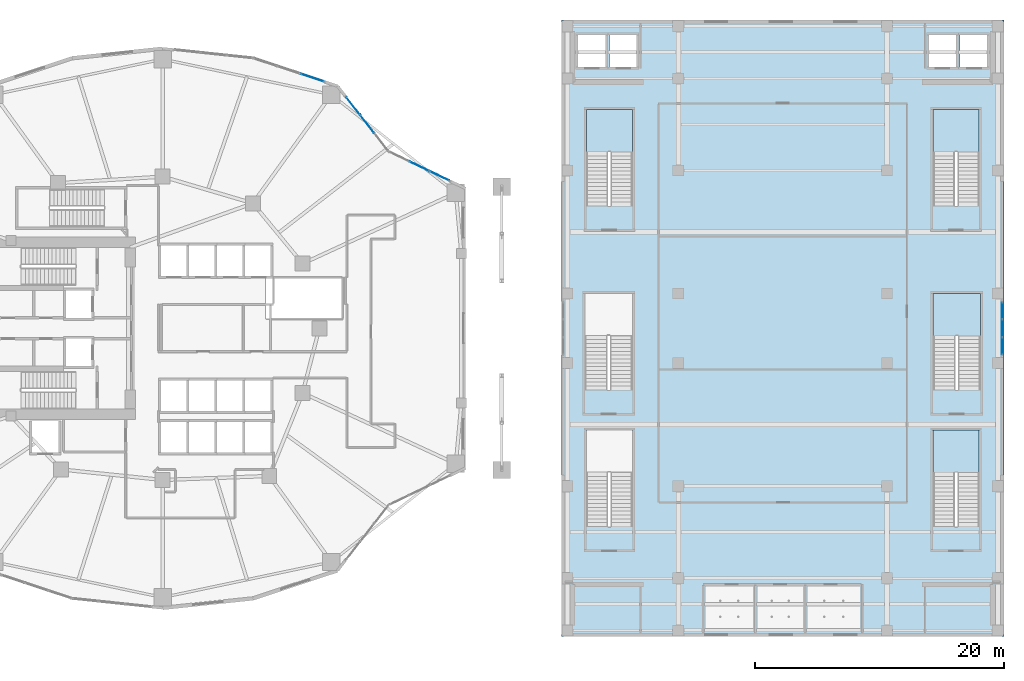
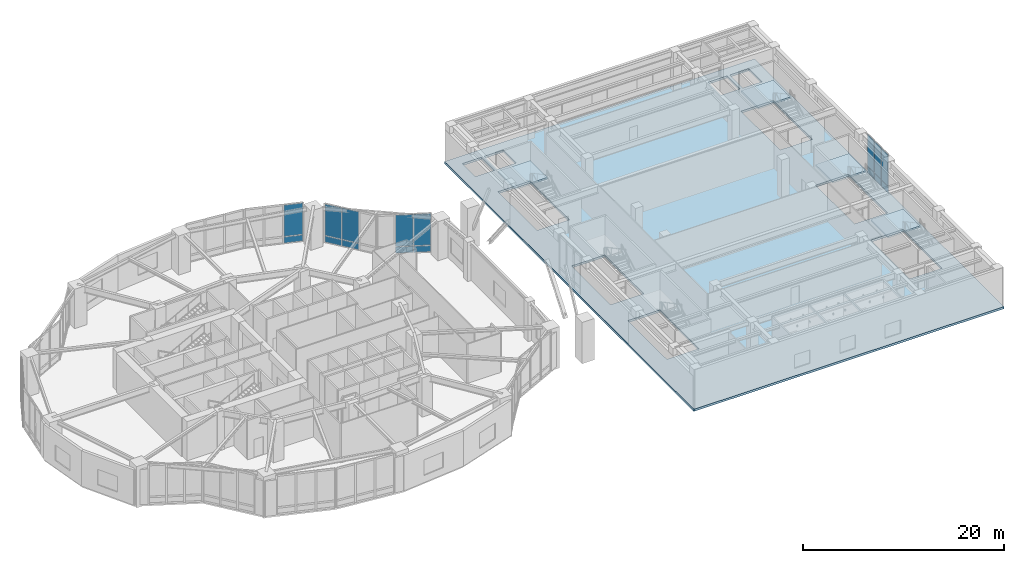
# One storey, part 12 of 24: 16 plates, 5 slabs, 8 elements without a shape of their own.
"""IFC4 building model written with IfcOpenShell, lengths in metres."""

from ifc_helpers import new_model, si_unit, direction, frame, origin, origin_2d, place, context, subcontext, project, spatial, polyline, rectangle, outline, extrude, material, layer, layer_set, type_object, element, aggregate, save


model = new_model("IFC4")

# Units and contexts
model_context = context("Model", 3, precision=1e-05, world=origin(), true_north=direction((0.0, 1.0)))
body_context = subcontext(model_context, "Body", "Model", "MODEL_VIEW")
ifc_project = project(units=[si_unit("LENGTHUNIT", "METRE"), si_unit("AREAUNIT", "SQUARE_METRE"), si_unit("VOLUMEUNIT", "CUBIC_METRE"), si_unit("PLANEANGLEUNIT", "RADIAN"), si_unit("MASSUNIT", "GRAM", prefix="KILO")], contexts=[model_context])

# Site, building, storey
site_placement = place(None, origin())
site = spatial("IfcSite", under=ifc_project, at=site_placement, CompositionType="ELEMENT")
building_placement = place(site_placement, origin())
building = spatial("IfcBuilding", under=site, at=building_placement, Name="Kolvaren Gate Tower and Convention Centre", CompositionType="ELEMENT")
storey_placement = place(building_placement, frame((0.0, 0.0, 10.0)))
storey = spatial("IfcBuildingStorey", under=building, at=storey_placement, Name="L02", CompositionType="ELEMENT", Elevation=10.0)

# Curtain wall, plates
ifc_material_1 = material(Name="Anodized Architectural Aluminium Alloy 6063-T6", Category="aluminium")
ifc_layer_1 = layer(ifc_material_1, 0.179931640625)
ifc_layer_set_1 = layer_set([ifc_layer_1], Name="Anodized Architectural Aluminium Alloy 6063-T6")
curtain_wall_type_1 = type_object("IfcCurtainWallType", Name="CW-POD-GLZ", PredefinedType="NOTDEFINED", material=ifc_layer_set_1)
curtain_wall_1_placement = place(storey_placement, origin())
curtain_wall_1 = element("IfcCurtainWall", 1, at=curtain_wall_1_placement, inside=storey, type_object=curtain_wall_type_1, Name="Tower L02 Unitised Curtain Wall CW-POD-GLZ Bay 02", PredefinedType="NOTDEFINED")
ifc_material_2 = material(Name="Low-E Triple Insulated Glazing Unit 44 mm", Category="glass")
ifc_layer_2 = layer(ifc_material_2, 0.0439453125)
ifc_layer_set_2 = layer_set([ifc_layer_2], Name="Low-E Triple Insulated Glazing Unit 44 mm")
plate_type_1 = type_object("IfcPlateType", Name="CW-PL-IGU-44", PredefinedType="CURTAIN_PANEL", material=ifc_layer_set_2)
plate_1_placement = place(storey_placement, frame((50.77587890625, 40.030517578125, 0.88720703125), z_axis=(0.0, 0.0, 1.0), x_axis=(0.90136380435, -0.433062688542, 0.0)))
plate_1 = element("IfcPlate", 2, at=plate_1_placement, type_object=plate_type_1, Name="CW-01 panel 2.2", PredefinedType="CURTAIN_PANEL", context=body_context, shape_type="SweptSolid", body=[
    extrude(rectangle(XDim=1.744873046875, YDim=0.0439453125, at=origin_2d()), origin(), (0.0, 0.0, 1.0), 3.797607421875),
])
plate_2_placement = place(storey_placement, frame((52.399658203125, 39.25048828125, 0.88720703125), z_axis=(0.0, 0.0, 1.0), x_axis=(0.90136380435, -0.433062688542, 0.0)))
plate_2 = element("IfcPlate", 3, at=plate_2_placement, type_object=plate_type_1, Name="CW-01 panel 3.2", PredefinedType="CURTAIN_PANEL", context=body_context, shape_type="SweptSolid", body=[
    extrude(rectangle(XDim=1.70751953125, YDim=0.0439453125, at=origin_2d()), origin(), (0.0, 0.0, 1.0), 3.797607421875),
])

curtain_wall_2_placement = place(storey_placement, origin())
curtain_wall_2 = element("IfcCurtainWall", 4, at=curtain_wall_2_placement, inside=storey, type_object=curtain_wall_type_1, Name="Tower L02 Unitised Curtain Wall CW-POD-GLZ Bay 03", PredefinedType="NOTDEFINED")
plate_3_placement = place(storey_placement, frame((45.439697265625, 44.885986328125, 0.88720703125), z_axis=(0.0, 0.0, 1.0), x_axis=(0.616425794643, -0.787413004527, 0.0)))
plate_3 = element("IfcPlate", 5, at=plate_3_placement, type_object=plate_type_1, Name="CW-01 panel 1.2", PredefinedType="CURTAIN_PANEL", context=body_context, shape_type="SweptSolid", body=[
    extrude(rectangle(XDim=1.760986328125, YDim=0.0439453125, at=origin_2d()), origin(), (0.0, 0.0, 1.0), 3.797607421875),
])
plate_4_placement = place(storey_placement, frame((46.5830078125, 43.425537109375, 0.88720703125), z_axis=(0.0, 0.0, 1.0), x_axis=(0.616425794643, -0.787413004527, 0.0)))
plate_4 = element("IfcPlate", 6, at=plate_4_placement, type_object=plate_type_1, Name="CW-01 panel 2.2", PredefinedType="CURTAIN_PANEL", context=body_context, shape_type="SweptSolid", body=[
    extrude(rectangle(XDim=1.79833984375, YDim=0.0439453125, at=origin_2d()), origin(), (0.0, 0.0, 1.0), 3.797607421875),
])

# Curtain wall, plate
curtain_wall_3_placement = place(storey_placement, origin())
curtain_wall_3 = element("IfcCurtainWall", 7, at=curtain_wall_3_placement, inside=storey, type_object=curtain_wall_type_1, Name="Tower L02 Unitised Curtain Wall CW-POD-GLZ Bay 04", PredefinedType="NOTDEFINED")
plate_5_placement = place(storey_placement, frame((42.173095703125, 47.153076171875, 0.88720703125), z_axis=(0.0, 0.0, 1.0), x_axis=(0.949243688479, -0.314541602786, 0.0)))
plate_5 = element("IfcPlate", 8, at=plate_5_placement, type_object=plate_type_1, Name="CW-01 panel 3.2", PredefinedType="CURTAIN_PANEL", context=body_context, shape_type="SweptSolid", body=[
    extrude(rectangle(XDim=1.904541015625, YDim=0.0439453125, at=origin_2d()), origin(), (0.0, 0.0, 1.0), 3.797607421875),
])

# Curtain wall, plates
ifc_layer_3 = layer(ifc_material_1, 0.179931640625)
ifc_layer_set_3 = layer_set([ifc_layer_3], Name="Anodized Architectural Aluminium Alloy 6063-T6")
curtain_wall_type_2 = type_object("IfcCurtainWallType", Name="CW-CONV-GLZ", PredefinedType="NOTDEFINED", material=ifc_layer_set_3)
curtain_wall_4_placement = place(storey_placement, origin())
curtain_wall_4 = element("IfcCurtainWall", 9, at=curtain_wall_4_placement, inside=storey, type_object=curtain_wall_type_2, Name="Convention L02 E Foyer Curtain Wall CW-CC-L02-E", PredefinedType="NOTDEFINED")
plate_6_placement = place(storey_placement, frame((97.64990234375, 25.589599609375, 0.882568359375), z_axis=(0.0, 0.0, 1.0), x_axis=(0.0, 1.0, 0.0)))
plate_6 = element("IfcPlate", 10, at=plate_6_placement, type_object=plate_type_1, Name="CW-06 panel 1.2", PredefinedType="CURTAIN_PANEL", context=body_context, shape_type="SweptSolid", body=[
    extrude(rectangle(XDim=1.3291015625, YDim=0.0439453125, at=origin_2d()), origin(), (0.0, 0.0, 1.0), 3.8125),
])
plate_7_placement = place(storey_placement, frame((97.64990234375, 27.0, 0.882568359375), z_axis=(0.0, 0.0, 1.0), x_axis=(0.0, 1.0, 0.0)))
plate_7 = element("IfcPlate", 11, at=plate_7_placement, type_object=plate_type_1, Name="CW-06 panel 2.2", PredefinedType="CURTAIN_PANEL", context=body_context, shape_type="SweptSolid", body=[
    extrude(rectangle(XDim=1.361572265625, YDim=0.0439453125, at=origin_2d()), origin(), (0.0, 0.0, 1.0), 3.8125),
])
plate_8_placement = place(storey_placement, frame((97.64990234375, 28.410400390625, 0.882568359375), z_axis=(0.0, 0.0, 1.0), x_axis=(0.0, 1.0, 0.0)))
plate_8 = element("IfcPlate", 12, at=plate_8_placement, type_object=plate_type_1, Name="CW-06 panel 3.2", PredefinedType="CURTAIN_PANEL", context=body_context, shape_type="SweptSolid", body=[
    extrude(rectangle(XDim=1.3291015625, YDim=0.0439453125, at=origin_2d()), origin(), (0.0, 0.0, 1.0), 3.8125),
])

# Plate
ifc_material_3 = material(Name="Solar-Control Laminated Curtain Glazing 36 mm", Category="glass")
ifc_layer_4 = layer(ifc_material_3, 0.035888671875)
ifc_layer_set_4 = layer_set([ifc_layer_4], Name="Solar-Control Laminated Curtain Glazing 36 mm")
plate_type_2 = type_object("IfcPlateType", Name="CW-PL-SPAN-36", PredefinedType="CURTAIN_PANEL", material=ifc_layer_set_4)
plate_9_placement = place(storey_placement, frame((50.77587890625, 40.030517578125, 0.0751953125), z_axis=(0.0, 0.0, 1.0), x_axis=(0.90136380435, -0.433062688542, 0.0)))
plate_9 = element("IfcPlate", 13, at=plate_9_placement, type_object=plate_type_2, Name="CW-01 panel 2.1", PredefinedType="CURTAIN_PANEL", context=body_context, shape_type="SweptSolid", body=[
    extrude(rectangle(XDim=1.744873046875, YDim=0.035888671875, at=origin_2d()), origin(), (0.0, 0.0, 1.0), 0.737548828125),
])

plate_10_placement = place(storey_placement, frame((52.399658203125, 39.25048828125, 0.0751953125), z_axis=(0.0, 0.0, 1.0), x_axis=(0.90136380435, -0.433062688542, 0.0)))
plate_10 = element("IfcPlate", 14, at=plate_10_placement, type_object=plate_type_2, Name="CW-01 panel 3.1", PredefinedType="CURTAIN_PANEL", context=body_context, shape_type="SweptSolid", body=[
    extrude(rectangle(XDim=1.70751953125, YDim=0.035888671875, at=origin_2d()), origin(), (0.0, 0.0, 1.0), 0.737548828125),
])

aggregate(curtain_wall_1, [plate_9, plate_1, plate_10, plate_2])

plate_11_placement = place(storey_placement, frame((45.439697265625, 44.885986328125, 0.0751953125), z_axis=(0.0, 0.0, 1.0), x_axis=(0.616425794643, -0.787413004527, 0.0)))
plate_11 = element("IfcPlate", 15, at=plate_11_placement, type_object=plate_type_2, Name="CW-01 panel 1.1", PredefinedType="CURTAIN_PANEL", context=body_context, shape_type="SweptSolid", body=[
    extrude(rectangle(XDim=1.760986328125, YDim=0.035888671875, at=origin_2d()), origin(), (0.0, 0.0, 1.0), 0.737548828125),
])

plate_12_placement = place(storey_placement, frame((46.5830078125, 43.425537109375, 0.0751953125), z_axis=(0.0, 0.0, 1.0), x_axis=(0.616425794643, -0.787413004527, 0.0)))
plate_12 = element("IfcPlate", 16, at=plate_12_placement, type_object=plate_type_2, Name="CW-01 panel 2.1", PredefinedType="CURTAIN_PANEL", context=body_context, shape_type="SweptSolid", body=[
    extrude(rectangle(XDim=1.79833984375, YDim=0.035888671875, at=origin_2d()), origin(), (0.0, 0.0, 1.0), 0.737548828125),
])

aggregate(curtain_wall_2, [plate_11, plate_3, plate_12, plate_4])

plate_13_placement = place(storey_placement, frame((42.173095703125, 47.153076171875, 0.0751953125), z_axis=(0.0, 0.0, 1.0), x_axis=(0.949243688479, -0.314541602786, 0.0)))
plate_13 = element("IfcPlate", 17, at=plate_13_placement, type_object=plate_type_2, Name="CW-01 panel 3.1", PredefinedType="CURTAIN_PANEL", context=body_context, shape_type="SweptSolid", body=[
    extrude(rectangle(XDim=1.904541015625, YDim=0.035888671875, at=origin_2d()), origin(), (0.0, 0.0, 1.0), 0.737548828125),
])

aggregate(curtain_wall_3, [plate_13, plate_5])

plate_14_placement = place(storey_placement, frame((97.64990234375, 25.589599609375, 0.06494140625), z_axis=(0.0, 0.0, 1.0), x_axis=(0.0, 1.0, 0.0)))
plate_14 = element("IfcPlate", 18, at=plate_14_placement, type_object=plate_type_2, Name="CW-06 panel 1.1", PredefinedType="CURTAIN_PANEL", context=body_context, shape_type="SweptSolid", body=[
    extrude(rectangle(XDim=1.3291015625, YDim=0.035888671875, at=origin_2d()), origin(), (0.0, 0.0, 1.0), 0.75244140625),
])

plate_15_placement = place(storey_placement, frame((97.64990234375, 27.0, 0.06494140625), z_axis=(0.0, 0.0, 1.0), x_axis=(0.0, 1.0, 0.0)))
plate_15 = element("IfcPlate", 19, at=plate_15_placement, type_object=plate_type_2, Name="CW-06 panel 2.1", PredefinedType="CURTAIN_PANEL", context=body_context, shape_type="SweptSolid", body=[
    extrude(rectangle(XDim=1.361572265625, YDim=0.035888671875, at=origin_2d()), origin(), (0.0, 0.0, 1.0), 0.75244140625),
])

plate_16_placement = place(storey_placement, frame((97.64990234375, 28.410400390625, 0.06494140625), z_axis=(0.0, 0.0, 1.0), x_axis=(0.0, 1.0, 0.0)))
plate_16 = element("IfcPlate", 20, at=plate_16_placement, type_object=plate_type_2, Name="CW-06 panel 3.1", PredefinedType="CURTAIN_PANEL", context=body_context, shape_type="SweptSolid", body=[
    extrude(rectangle(XDim=1.3291015625, YDim=0.035888671875, at=origin_2d()), origin(), (0.0, 0.0, 1.0), 0.75244140625),
])

aggregate(curtain_wall_4, [plate_14, plate_6, plate_15, plate_7, plate_16, plate_8])

# Slab
ifc_material_4 = material(Name="Concrete C40/50", Category="concrete")
ifc_layer_5 = layer(ifc_material_4, 0.260009765625)
ifc_layer_set_5 = layer_set([ifc_layer_5], Name="Concrete C40/50")
slab_type_1 = type_object("IfcSlabType", Name="STR-SL-FLR-260", PredefinedType="FLOOR", material=ifc_layer_set_5)
slab_1_placement = place(storey_placement, frame((0.0, 0.0, -0.260009765625)))
element("IfcSlab", 21, at=slab_1_placement, inside=storey, type_object=slab_type_1, Name="Convention Centre L02 Structural Floor Slab", PredefinedType="FLOOR", context=body_context, shape_type="SweptSolid", body=[
    extrude(outline(polyline([(62.199951171875, 2.199951171875), (97.800048828125, 2.199951171875), (97.800048828125, 51.800048828125), (62.199951171875, 51.800048828125), (62.199951171875, 2.199951171875)]), holes=[polyline([(94.25, 48.0), (94.25, 50.60009765625), (96.449951171875, 50.60009765625), (96.449951171875, 48.0), (94.25, 48.0)]), polyline([(95.89990234375, 22.050048828125), (92.10009765625, 22.050048828125), (92.10009765625, 29.800048828125), (95.89990234375, 29.800048828125), (95.89990234375, 22.050048828125)]), polyline([(95.800048828125, 18.800048828125), (95.800048828125, 11.050048828125), (92.10009765625, 11.050048828125), (92.10009765625, 18.800048828125), (95.800048828125, 18.800048828125)]), polyline([(95.800048828125, 44.60009765625), (95.800048828125, 36.85009765625), (92.10009765625, 36.85009765625), (92.10009765625, 44.60009765625), (95.800048828125, 44.60009765625)]), polyline([(91.75, 48.0), (91.75, 50.60009765625), (93.949951171875, 50.60009765625), (93.949951171875, 48.0), (91.75, 48.0)]), polyline([(68.25, 48.0), (66.050048828125, 48.0), (66.050048828125, 50.60009765625), (68.25, 50.60009765625), (68.25, 48.0)]), polyline([(67.89990234375, 18.800048828125), (67.89990234375, 11.050048828125), (64.199951171875, 11.050048828125), (64.199951171875, 18.800048828125), (67.89990234375, 18.800048828125)]), polyline([(67.89990234375, 29.800048828125), (67.89990234375, 22.050048828125), (64.10009765625, 22.050048828125), (64.10009765625, 29.800048828125), (67.89990234375, 29.800048828125)]), polyline([(67.89990234375, 36.85009765625), (64.199951171875, 36.85009765625), (64.199951171875, 44.60009765625), (67.89990234375, 44.60009765625), (67.89990234375, 36.85009765625)]), polyline([(65.75, 48.0), (63.550048828125, 48.0), (63.550048828125, 50.60009765625), (65.75, 50.60009765625), (65.75, 48.0)])]), origin(), (0.0, 0.0, 1.0), 0.260009765625),
])

# Stair, slab
ifc_material_5 = material(Name="Concrete C50/60", Category="concrete")
stair_type = type_object("IfcStairType", Name="STR-STAIR-CONV", PredefinedType="HALF_TURN_STAIR", material=ifc_material_5)
stair_1_placement = place(storey_placement, origin())
stair_1 = element("IfcStair", 22, at=stair_1_placement, inside=storey, type_object=stair_type, Name="L02 Convention NW Exit Stair ST-C1", PredefinedType="HALF_TURN_STAIR")
ifc_layer_6 = layer(ifc_material_5, 0.199951171875)
ifc_layer_set_6 = layer_set([ifc_layer_6], Name="Concrete C50/60")
slab_type_2 = type_object("IfcSlabType", Name="STR-SL-LAND-200", PredefinedType="LANDING", material=ifc_layer_set_6)
slab_2_placement = place(storey_placement, frame((0.0, 0.0, 2.300048828125)))
slab_2 = element("IfcSlab", 23, at=slab_2_placement, type_object=slab_type_2, Name="ST-C1 landing 1", PredefinedType="LANDING", context=body_context, shape_type="SweptSolid", body=[
    extrude(outline(polyline([(67.89990234375, 41.18994140625), (67.89990234375, 44.60009765625), (64.199951171875, 44.60009765625), (64.199951171875, 41.18994140625), (67.89990234375, 41.18994140625)])), origin(), (0.0, 0.0, 1.0), 0.199951171875),
])
aggregate(stair_1, [slab_2])

stair_2_placement = place(storey_placement, origin())
stair_2 = element("IfcStair", 24, at=stair_2_placement, inside=storey, type_object=stair_type, Name="L02 Convention NE Exit Stair ST-C3", PredefinedType="HALF_TURN_STAIR")
slab_3_placement = place(storey_placement, frame((0.0, 0.0, 2.300048828125)))
slab_3 = element("IfcSlab", 25, at=slab_3_placement, type_object=slab_type_2, Name="ST-C3 landing 1", PredefinedType="LANDING", context=body_context, shape_type="SweptSolid", body=[
    extrude(outline(polyline([(95.800048828125, 41.18994140625), (95.800048828125, 44.60009765625), (92.10009765625, 44.60009765625), (92.10009765625, 41.18994140625), (95.800048828125, 41.18994140625)])), origin(), (0.0, 0.0, 1.0), 0.199951171875),
])
aggregate(stair_2, [slab_3])

stair_3_placement = place(storey_placement, origin())
stair_3 = element("IfcStair", 26, at=stair_3_placement, inside=storey, type_object=stair_type, Name="L02 Convention SE Exit Stair ST-C4", PredefinedType="HALF_TURN_STAIR")
slab_4_placement = place(storey_placement, frame((0.0, 0.0, 2.300048828125)))
slab_4 = element("IfcSlab", 27, at=slab_4_placement, type_object=slab_type_2, Name="ST-C4 landing 1", PredefinedType="LANDING", context=body_context, shape_type="SweptSolid", body=[
    extrude(outline(polyline([(95.800048828125, 15.389892578125), (95.800048828125, 18.800048828125), (92.10009765625, 18.800048828125), (92.10009765625, 15.389892578125), (95.800048828125, 15.389892578125)])), origin(), (0.0, 0.0, 1.0), 0.199951171875),
])
aggregate(stair_3, [slab_4])

stair_4_placement = place(storey_placement, origin())
stair_4 = element("IfcStair", 28, at=stair_4_placement, inside=storey, type_object=stair_type, Name="L02 Convention East Assembly Stair ST-C6", PredefinedType="HALF_TURN_STAIR")
slab_5_placement = place(storey_placement, frame((0.0, 0.0, 2.300048828125)))
slab_5 = element("IfcSlab", 29, at=slab_5_placement, type_object=slab_type_2, Name="ST-C6 landing 1", PredefinedType="LANDING", context=body_context, shape_type="SweptSolid", body=[
    extrude(outline(polyline([(95.89990234375, 26.389892578125), (95.89990234375, 29.800048828125), (92.10009765625, 29.800048828125), (92.10009765625, 26.389892578125), (95.89990234375, 26.389892578125)])), origin(), (0.0, 0.0, 1.0), 0.199951171875),
])
aggregate(stair_4, [slab_5])

save(model, "model.ifc")
